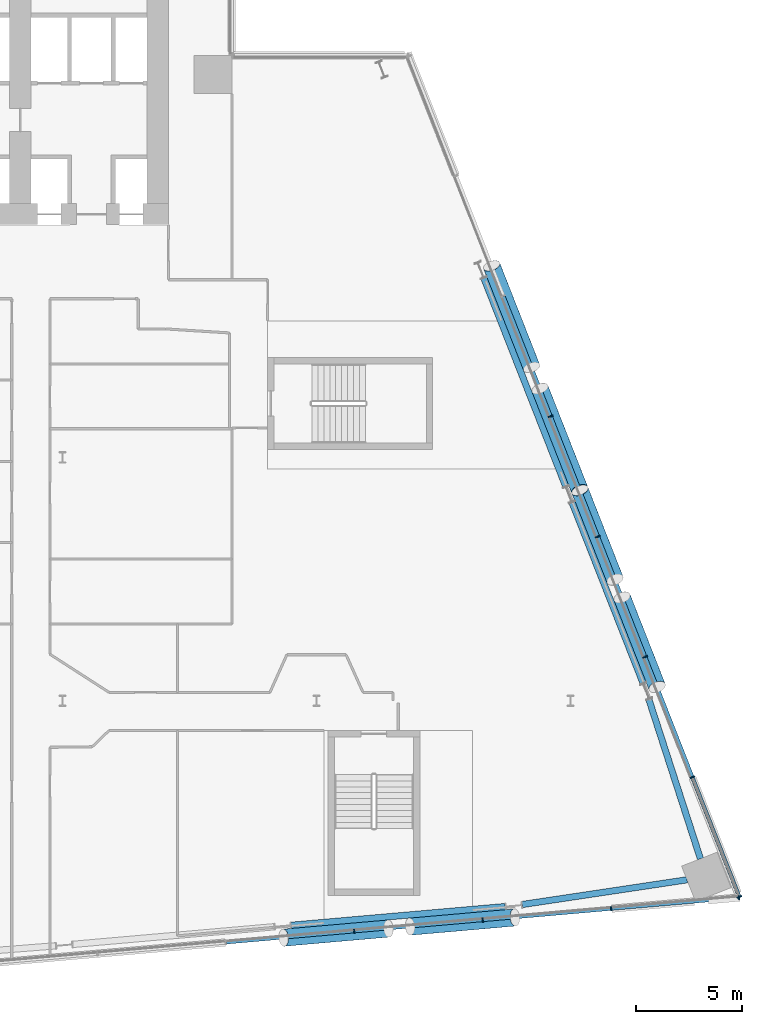
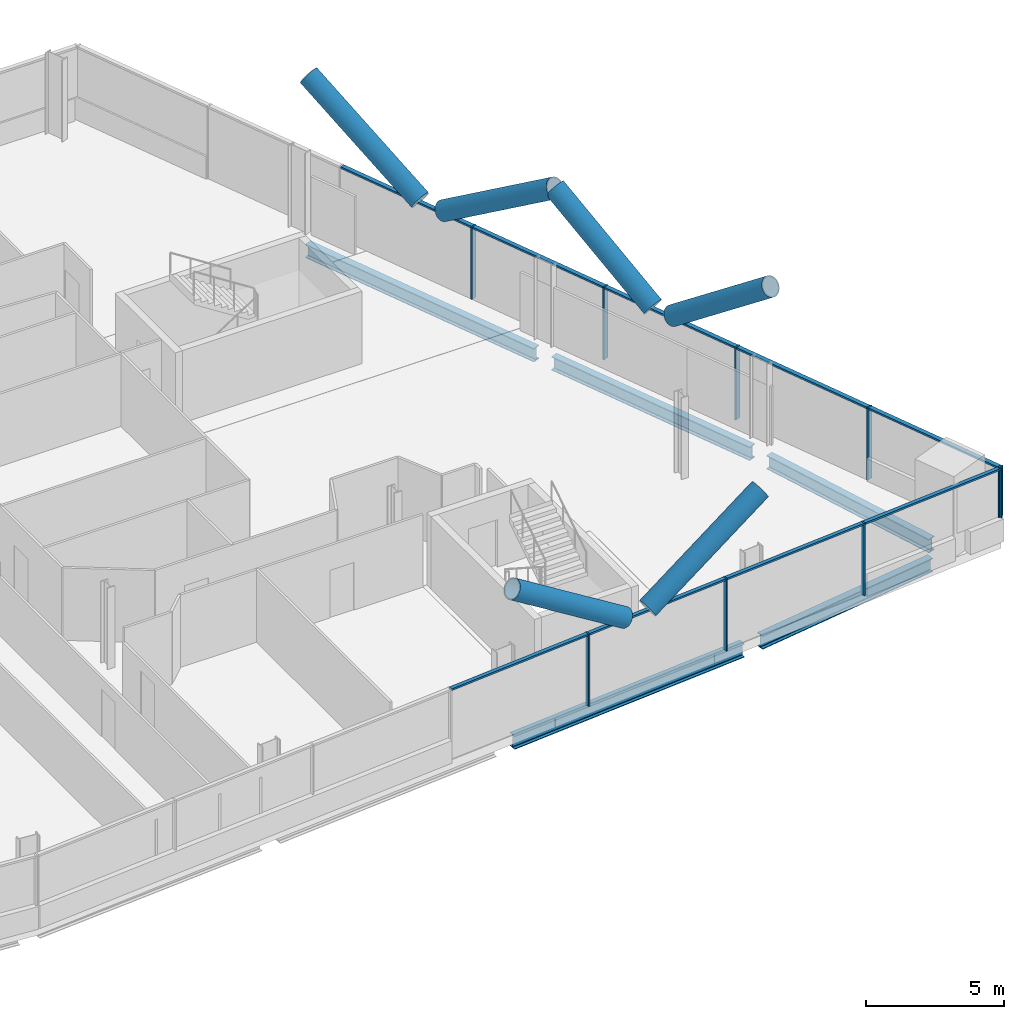
# One storey, part 10 of 27: 24 members, 5 beams, 2 elements without a shape of their own.
"""IFC4 building model written with IfcOpenShell, lengths in metres."""

from ifc_helpers import new_model, si_unit, direction, frame, origin, origin_2d, place, context, subcontext, project, spatial, rectangle, hollow_circle, i_section, extrude, material, material_profile, profile_set, type_object, element, aggregate, save


model = new_model("IFC4")

# Units and contexts
model_context = context("Model", 3, precision=1e-05, world=origin(), true_north=direction((0.0, 1.0)))
body_context = subcontext(model_context, "Body", "Model", "MODEL_VIEW")
ifc_project = project(units=[si_unit("LENGTHUNIT", "METRE"), si_unit("AREAUNIT", "SQUARE_METRE"), si_unit("VOLUMEUNIT", "CUBIC_METRE"), si_unit("PLANEANGLEUNIT", "RADIAN"), si_unit("MASSUNIT", "GRAM", prefix="KILO")], contexts=[model_context])

# Site, building, storey
site_placement = place(None, origin())
site = spatial("IfcSite", under=ifc_project, at=site_placement, CompositionType="ELEMENT")
building_placement = place(site_placement, origin())
building = spatial("IfcBuilding", under=site, at=building_placement, Name="Wharfspan Tower", CompositionType="ELEMENT")
storey_placement = place(building_placement, frame((0.0, 0.0, 111.100098)))
storey = spatial("IfcBuildingStorey", under=building, at=storey_placement, Name="L25", CompositionType="ELEMENT", Elevation=111.100098)

# Beams
ifc_material_1 = material(Name="Steel S355J2", Category="steel")
ifc_material_profile_1 = material_profile(ifc_material_1, i_section(OverallWidth=0.300049, OverallDepth=0.600098, WebThickness=0.015381, FlangeThickness=0.030029, FilletRadius=0.0271, at=origin_2d()))
ifc_profile_set_1 = profile_set([ifc_material_profile_1], Name="Steel S355J2")
beam_type = type_object("IfcBeamType", Name="Edge beam HEB 600", PredefinedType="SPANDREL", material=ifc_profile_set_1)
beam_1_placement = place(storey_placement, frame((70.805664, 0.887695, -0.700195), z_axis=(0.996194, 0.087159, 0.0), x_axis=(-0.087159, 0.996194, 0.0)))
element("IfcBeam", 1, at=beam_1_placement, inside=storey, type_object=beam_type, Name="Edge beam S2 L25 PS2.2 to PS2.3", PredefinedType="SPANDREL", context=body_context, shape_type="SweptSolid", body=[
    extrude(i_section(OverallWidth=0.300049, OverallDepth=0.600098, WebThickness=0.015381, FlangeThickness=0.030029, FilletRadius=0.0271, at=origin_2d()), origin(), (0.0, 0.0, 1.0), 10.159424),
])
beam_2_placement = place(storey_placement, frame((81.727295, 1.868408, -0.700195), z_axis=(0.988926, 0.148412, 0.0), x_axis=(-0.148412, 0.988926, 0.0)))
element("IfcBeam", 2, at=beam_2_placement, inside=storey, type_object=beam_type, Name="Edge beam S2 L25 PS2.3 to MC4", PredefinedType="SPANDREL", context=body_context, shape_type="SweptSolid", body=[
    extrude(i_section(OverallWidth=0.300049, OverallDepth=0.600098, WebThickness=0.015381, FlangeThickness=0.030029, FilletRadius=0.0271, at=origin_2d()), origin(), (0.0, 0.0, 1.0), 7.87793),
])
beam_3_placement = place(storey_placement, frame((90.150879, 4.02832, -0.700195), z_axis=(-0.307851, 0.951434, 0.0), x_axis=(-0.951434, -0.307851, 0.0)))
element("IfcBeam", 3, at=beam_3_placement, inside=storey, type_object=beam_type, Name="Edge beam E L25 MC4 to PE.1", PredefinedType="SPANDREL", context=body_context, shape_type="SweptSolid", body=[
    extrude(i_section(OverallWidth=0.300049, OverallDepth=0.600098, WebThickness=0.015381, FlangeThickness=0.030029, FilletRadius=0.0271, at=origin_2d()), origin(), (0.0, 0.0, 1.0), 7.924805),
])
beam_4_placement = place(storey_placement, frame((87.439453, 12.327637, -0.700195), z_axis=(-0.365779, 0.930702, 0.0), x_axis=(-0.930702, -0.365779, 0.0)))
element("IfcBeam", 4, at=beam_4_placement, inside=storey, type_object=beam_type, Name="Edge beam E L25 PE.1 to PE.2", PredefinedType="SPANDREL", context=body_context, shape_type="SweptSolid", body=[
    extrude(i_section(OverallWidth=0.300049, OverallDepth=0.600098, WebThickness=0.015381, FlangeThickness=0.030029, FilletRadius=0.0271, at=origin_2d()), origin(), (0.0, 0.0, 1.0), 9.184814),
])
beam_5_placement = place(storey_placement, frame((83.785156, 21.625977, -0.700195), z_axis=(-0.365789, 0.930698, 0.0), x_axis=(-0.930698, -0.365789, 0.0)))
element("IfcBeam", 5, at=beam_5_placement, inside=storey, type_object=beam_type, Name="Edge beam E L25 PE.2 to PE.3", PredefinedType="SPANDREL", context=body_context, shape_type="SweptSolid", body=[
    extrude(i_section(OverallWidth=0.300049, OverallDepth=0.600098, WebThickness=0.015381, FlangeThickness=0.030029, FilletRadius=0.0271, at=origin_2d()), origin(), (0.0, 0.0, 1.0), 10.584961),
])

# Curtain wall, members
ifc_material_2 = material(Name="Aluminium 6063-T6", Category="aluminium")
curtain_wall_type_1 = type_object("IfcCurtainWallType", Name="CURTAIN WALL FACETED FRONT", PredefinedType="NOTDEFINED", material=ifc_material_2)
curtain_wall_1_placement = place(storey_placement, origin())
curtain_wall_1 = element("IfcCurtainWall", 6, at=curtain_wall_1_placement, inside=storey, type_object=curtain_wall_type_1, Name="Curtain wall S2", PredefinedType="NOTDEFINED")
ifc_material_profile_2 = material_profile(ifc_material_2, rectangle(XDim=0.199951, YDim=0.060059, at=origin_2d()))
ifc_profile_set_2 = profile_set([ifc_material_profile_2], Name="Aluminium 6063-T6")
member_type_1 = type_object("IfcMemberType", Name="MULLION FACETED FRONT 60x200", PredefinedType="MULLION", material=ifc_profile_set_2)
member_1_placement = place(storey_placement, frame((73.785645, 0.606445, 0.0), z_axis=(0.0, 0.0, 1.0), x_axis=(-0.087156, 0.996198, 0.0)))
member_1 = element("IfcMember", 7, at=member_1_placement, type_object=member_type_1, Name="Curtain wall S2 mullion 5", PredefinedType="MULLION", context=body_context, shape_type="SweptSolid", body=[
    extrude(rectangle(XDim=0.199951, YDim=0.060059, at=origin_2d()), origin(), (0.0, 0.0, 1.0), 3.199951),
])
member_2_placement = place(storey_placement, frame((79.857178, 1.137695, 0.0), z_axis=(0.0, 0.0, 1.0), x_axis=(-0.087156, 0.996198, 0.0)))
member_2 = element("IfcMember", 8, at=member_2_placement, type_object=member_type_1, Name="Curtain wall S2 mullion 6", PredefinedType="MULLION", context=body_context, shape_type="SweptSolid", body=[
    extrude(rectangle(XDim=0.199951, YDim=0.060059, at=origin_2d()), origin(), (0.0, 0.0, 1.0), 3.199951),
])
member_3_placement = place(storey_placement, frame((85.928467, 1.668701, 0.0), z_axis=(0.0, 0.0, 1.0), x_axis=(-0.087156, 0.996198, 0.0)))
member_3 = element("IfcMember", 9, at=member_3_placement, type_object=member_type_1, Name="Curtain wall S2 mullion 7", PredefinedType="MULLION", context=body_context, shape_type="SweptSolid", body=[
    extrude(rectangle(XDim=0.199951, YDim=0.060059, at=origin_2d()), origin(), (0.0, 0.0, 1.0), 3.199951),
])
member_4_placement = place(storey_placement, frame((91.970215, 2.197266, 1.0), z_axis=(0.0, 0.0, 1.0), x_axis=(-0.087156, 0.996198, 0.0)))
member_4 = element("IfcMember", 10, at=member_4_placement, type_object=member_type_1, Name="Curtain wall S2 mullion 8", PredefinedType="MULLION", context=body_context, shape_type="SweptSolid", body=[
    extrude(rectangle(XDim=0.199951, YDim=0.060059, at=origin_2d()), origin(), (0.0, 0.0, 1.0), 2.199951),
])

curtain_wall_type_2 = type_object("IfcCurtainWallType", Name="CURTAIN WALL PROW AND END", PredefinedType="NOTDEFINED", material=ifc_material_2)
curtain_wall_2_placement = place(storey_placement, origin())
curtain_wall_2 = element("IfcCurtainWall", 11, at=curtain_wall_2_placement, inside=storey, type_object=curtain_wall_type_2, Name="Curtain wall E", PredefinedType="NOTDEFINED")
ifc_material_profile_3 = material_profile(ifc_material_2, rectangle(XDim=0.23999, YDim=0.060059, at=origin_2d()))
ifc_profile_set_3 = profile_set([ifc_material_profile_3], Name="Aluminium 6063-T6")
member_type_2 = type_object("IfcMemberType", Name="MULLION PROW AND END 60x240", PredefinedType="MULLION", material=ifc_profile_set_3)
member_5_placement = place(storey_placement, frame((91.989014, 2.228027, 1.0), z_axis=(0.0, 0.0, 1.0), x_axis=(-0.930702, -0.365778, 0.0)))
member_5 = element("IfcMember", 12, at=member_5_placement, type_object=member_type_2, Name="Curtain wall E mullion 1", PredefinedType="MULLION", context=body_context, shape_type="SweptSolid", body=[
    extrude(rectangle(XDim=0.23999, YDim=0.060059, at=origin_2d()), origin(), (0.0, 0.0, 1.0), 2.199951),
])
member_6_placement = place(storey_placement, frame((89.765381, 7.885742, 0.0), z_axis=(0.0, 0.0, 1.0), x_axis=(-0.930702, -0.365778, 0.0)))
member_6 = element("IfcMember", 13, at=member_6_placement, type_object=member_type_2, Name="Curtain wall E mullion 2", PredefinedType="MULLION", context=body_context, shape_type="SweptSolid", body=[
    extrude(rectangle(XDim=0.23999, YDim=0.060059, at=origin_2d()), origin(), (0.0, 0.0, 1.0), 3.199951),
])
member_7_placement = place(storey_placement, frame((87.530762, 13.571533, 0.0), z_axis=(0.0, 0.0, 1.0), x_axis=(-0.930702, -0.365778, 0.0)))
member_7 = element("IfcMember", 14, at=member_7_placement, type_object=member_type_2, Name="Curtain wall E mullion 3", PredefinedType="MULLION", context=body_context, shape_type="SweptSolid", body=[
    extrude(rectangle(XDim=0.23999, YDim=0.060059, at=origin_2d()), origin(), (0.0, 0.0, 1.0), 3.199951),
])
member_8_placement = place(storey_placement, frame((85.296387, 19.25708, 0.0), z_axis=(0.0, 0.0, 1.0), x_axis=(-0.930702, -0.365778, 0.0)))
member_8 = element("IfcMember", 15, at=member_8_placement, type_object=member_type_2, Name="Curtain wall E mullion 4", PredefinedType="MULLION", context=body_context, shape_type="SweptSolid", body=[
    extrude(rectangle(XDim=0.23999, YDim=0.060059, at=origin_2d()), origin(), (0.0, 0.0, 1.0), 3.199951),
])
member_9_placement = place(storey_placement, frame((83.061768, 24.942871, 0.0), z_axis=(0.0, 0.0, 1.0), x_axis=(-0.930702, -0.365778, 0.0)))
member_9 = element("IfcMember", 16, at=member_9_placement, type_object=member_type_2, Name="Curtain wall E mullion 5", PredefinedType="MULLION", context=body_context, shape_type="SweptSolid", body=[
    extrude(rectangle(XDim=0.23999, YDim=0.060059, at=origin_2d()), origin(), (0.0, 0.0, 1.0), 3.199951),
])

# Members
ifc_material_3 = material(Name="Steel S460NH", Category="steel")
ifc_material_profile_4 = material_profile(ifc_material_3, hollow_circle(Radius=0.406494, WallThickness=0.040039, at=origin_2d()))
ifc_profile_set_4 = profile_set([ifc_material_profile_4], Name="Steel S460NH")
member_type_3 = type_object("IfcMemberType", Name="Mega brace CHS 813x40", PredefinedType="BRACE", material=ifc_profile_set_4)
member_10_placement = place(storey_placement, frame((76.427002, 0.82251, 3.237793), z_axis=(0.832724, 0.07283, 0.548878), x_axis=(-0.087128, 0.996197, 1e-06)))
element("IfcMember", 17, at=member_10_placement, inside=storey, type_object=member_type_3, Name="Mega brace S2 L25 part 2", PredefinedType="BRACE", context=body_context, shape_type="SweptSolid", body=[
    extrude(hollow_circle(Radius=0.406494, WallThickness=0.040039, at=origin_2d()), origin(), (0.0, 0.0, 1.0), 5.943359),
])
member_11_placement = place(storey_placement, frame((75.401855, 0.73291, 3.237793), z_axis=(-0.832734, -0.072869, 0.548858), x_axis=(0.087173, -0.99619, 1e-06)))
element("IfcMember", 18, at=member_11_placement, inside=storey, type_object=member_type_3, Name="Mega brace S2 L25 part 4", PredefinedType="BRACE", context=body_context, shape_type="SweptSolid", body=[
    extrude(hollow_circle(Radius=0.406494, WallThickness=0.040039, at=origin_2d()), origin(), (0.0, 0.0, 1.0), 5.943604),
])
for number, where, z_axis, x_axis, name in (
    (19, (82.168213, 27.257812, 3.241455), (-0.309216, 0.786692, 0.534323), (-0.93069, -0.365817, 2e-06), "Mega brace E5 L25 part 2"),
    (20, (82.563477, 26.251709, 3.241455), (0.30918, -0.786702, 0.534329), (0.930701, 0.36577, -4e-06), "Mega brace E5 L25 part 4"),
):
    element("IfcMember", number, at=place(storey_placement, frame(where, z_axis=z_axis, x_axis=x_axis)), inside=storey, type_object=member_type_3, Name=name, PredefinedType="BRACE", context=body_context, shape_type="SweptSolid", body=[
        extrude(hollow_circle(Radius=0.406494, WallThickness=0.040039, at=origin_2d()), origin(), (0.0, 0.0, 1.0), 6.098389),
    ])
member_12_placement = place(storey_placement, frame((86.109863, 17.228027, 3.227783), z_axis=(-0.29675, 0.75507, 0.584645), x_axis=(-0.930704, -0.365779, 4e-06)))
element("IfcMember", 21, at=member_12_placement, inside=storey, type_object=member_type_3, Name="Mega brace E6 L25 part 2", PredefinedType="BRACE", context=body_context, shape_type="SweptSolid", body=[
    extrude(hollow_circle(Radius=0.406494, WallThickness=0.040039, at=origin_2d()), origin(), (0.0, 0.0, 1.0), 5.596924),
])
member_13_placement = place(storey_placement, frame((86.442627, 16.381348, 3.227783), z_axis=(0.29676, -0.755051, 0.584664), x_axis=(0.930695, 0.365797, 4e-06)))
element("IfcMember", 22, at=member_13_placement, inside=storey, type_object=member_type_3, Name="Mega brace E6 L25 part 4", PredefinedType="BRACE", context=body_context, shape_type="SweptSolid", body=[
    extrude(hollow_circle(Radius=0.406494, WallThickness=0.040039, at=origin_2d()), origin(), (0.0, 0.0, 1.0), 5.59668),
])

# Member
ifc_material_profile_5 = material_profile(ifc_material_2, rectangle(XDim=0.159912, YDim=0.080078, at=origin_2d()))
ifc_profile_set_5 = profile_set([ifc_material_profile_5], Name="Aluminium 6063-T6")
member_type_4 = type_object("IfcMemberType", Name="TRANSOM FACETED FRONT 80x160", PredefinedType="USERDEFINED", material=ifc_profile_set_5)
member_14_placement = place(storey_placement, frame((67.744141, 0.077881, 3.159912), z_axis=(0.996196, 0.087143, 0.0), x_axis=(-0.087143, 0.996196, 0.0)))
member_14 = element("IfcMember", 23, at=member_14_placement, type_object=member_type_4, Name="Curtain wall S2 transom 4", ObjectType="TRANSOM", PredefinedType="USERDEFINED", context=body_context, shape_type="SweptSolid", body=[
    extrude(rectangle(XDim=0.159912, YDim=0.080078, at=origin_2d()), origin(), (0.0, 0.0, 1.0), 6.034668),
])

member_15_placement = place(storey_placement, frame((73.815674, 0.609131, 3.159912), z_axis=(0.996196, 0.087146, 0.0), x_axis=(-0.087146, 0.996196, 0.0)))
member_15 = element("IfcMember", 24, at=member_15_placement, type_object=member_type_4, Name="Curtain wall S2 transom 5", ObjectType="TRANSOM", PredefinedType="USERDEFINED", context=body_context, shape_type="SweptSolid", body=[
    extrude(rectangle(XDim=0.159912, YDim=0.080078, at=origin_2d()), origin(), (0.0, 0.0, 1.0), 6.034424),
])

member_16_placement = place(storey_placement, frame((79.886963, 1.140137, 3.159912), z_axis=(0.996192, 0.087183, 0.0), x_axis=(-0.087183, 0.996192, 0.0)))
member_16 = element("IfcMember", 25, at=member_16_placement, type_object=member_type_4, Name="Curtain wall S2 transom 6", ObjectType="TRANSOM", PredefinedType="USERDEFINED", context=body_context, shape_type="SweptSolid", body=[
    extrude(rectangle(XDim=0.159912, YDim=0.080078, at=origin_2d()), origin(), (0.0, 0.0, 1.0), 6.034668),
])

member_17_placement = place(storey_placement, frame((85.958496, 1.671387, 3.159912), z_axis=(0.996193, 0.087174, 0.0), x_axis=(-0.087174, 0.996193, 0.0)))
member_17 = element("IfcMember", 26, at=member_17_placement, type_object=member_type_4, Name="Curtain wall S2 transom 7", ObjectType="TRANSOM", PredefinedType="USERDEFINED", context=body_context, shape_type="SweptSolid", body=[
    extrude(rectangle(XDim=0.159912, YDim=0.080078, at=origin_2d()), origin(), (0.0, 0.0, 1.0), 6.004639),
])

aggregate(curtain_wall_1, [member_1, member_2, member_3, member_4, member_14, member_15, member_16, member_17])

ifc_material_profile_6 = material_profile(ifc_material_2, rectangle(XDim=0.179932, YDim=0.080078, at=origin_2d()))
ifc_profile_set_6 = profile_set([ifc_material_profile_6], Name="Aluminium 6063-T6")
member_type_5 = type_object("IfcMemberType", Name="TRANSOM PROW AND END 80x180", PredefinedType="USERDEFINED", material=ifc_profile_set_6)
member_18_placement = place(storey_placement, frame((91.978027, 2.255859, 3.159912), z_axis=(-0.365775, 0.930703, 0.0), x_axis=(-0.930703, -0.365775, 0.0)))
member_18 = element("IfcMember", 27, at=member_18_placement, type_object=member_type_5, Name="Curtain wall E transom 1", ObjectType="TRANSOM", PredefinedType="USERDEFINED", context=body_context, shape_type="SweptSolid", body=[
    extrude(rectangle(XDim=0.179932, YDim=0.080078, at=origin_2d()), origin(), (0.0, 0.0, 1.0), 6.019043),
])

member_19_placement = place(storey_placement, frame((89.754395, 7.913574, 3.159912), z_axis=(-0.365782, 0.9307, 0.0), x_axis=(-0.9307, -0.365782, 0.0)))
member_19 = element("IfcMember", 28, at=member_19_placement, type_object=member_type_5, Name="Curtain wall E transom 2", ObjectType="TRANSOM", PredefinedType="USERDEFINED", context=body_context, shape_type="SweptSolid", body=[
    extrude(rectangle(XDim=0.179932, YDim=0.080078, at=origin_2d()), origin(), (0.0, 0.0, 1.0), 6.049072),
])

member_20_placement = place(storey_placement, frame((87.52002, 13.599365, 3.159912), z_axis=(-0.365782, 0.9307, 0.0), x_axis=(-0.9307, -0.365782, 0.0)))
member_20 = element("IfcMember", 29, at=member_20_placement, type_object=member_type_5, Name="Curtain wall E transom 3", ObjectType="TRANSOM", PredefinedType="USERDEFINED", context=body_context, shape_type="SweptSolid", body=[
    extrude(rectangle(XDim=0.179932, YDim=0.080078, at=origin_2d()), origin(), (0.0, 0.0, 1.0), 6.049072),
])

member_21_placement = place(storey_placement, frame((85.2854, 19.285156, 3.159912), z_axis=(-0.365782, 0.9307, 0.0), x_axis=(-0.9307, -0.365782, 0.0)))
member_21 = element("IfcMember", 30, at=member_21_placement, type_object=member_type_5, Name="Curtain wall E transom 4", ObjectType="TRANSOM", PredefinedType="USERDEFINED", context=body_context, shape_type="SweptSolid", body=[
    extrude(rectangle(XDim=0.179932, YDim=0.080078, at=origin_2d()), origin(), (0.0, 0.0, 1.0), 6.049072),
])

member_22_placement = place(storey_placement, frame((83.050781, 24.970703, 3.159912), z_axis=(-0.365782, 0.9307, 0.0), x_axis=(-0.9307, -0.365782, 0.0)))
member_22 = element("IfcMember", 31, at=member_22_placement, type_object=member_type_5, Name="Curtain wall E transom 5", ObjectType="TRANSOM", PredefinedType="USERDEFINED", context=body_context, shape_type="SweptSolid", body=[
    extrude(rectangle(XDim=0.179932, YDim=0.080078, at=origin_2d()), origin(), (0.0, 0.0, 1.0), 6.049072),
])

aggregate(curtain_wall_2, [member_5, member_6, member_7, member_8, member_9, member_18, member_19, member_20, member_21, member_22])

save(model, "model.ifc")
